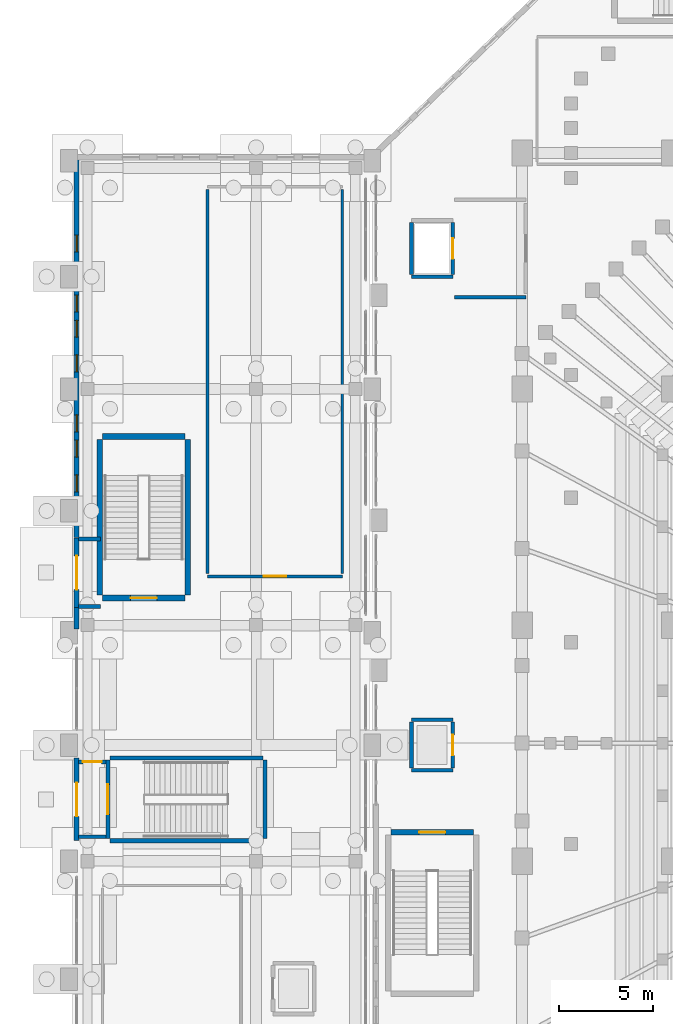
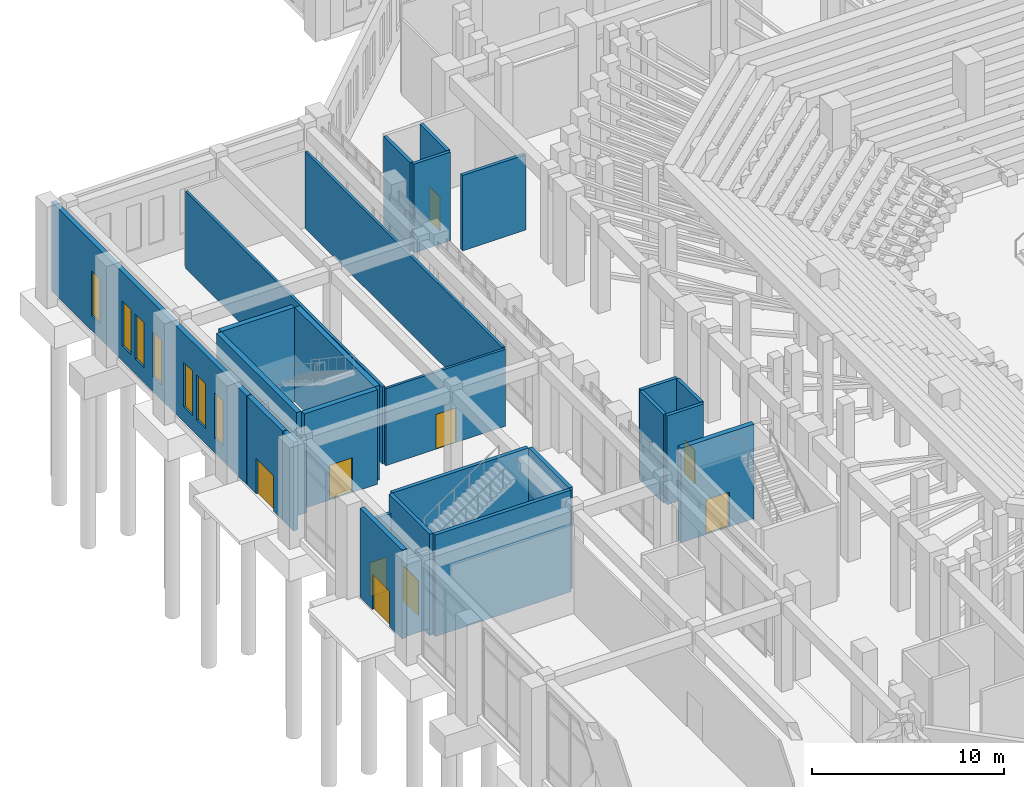
# One storey, part 110 of 143: 28 walls, 9 doors, 7 windows, 16 openings.
"""IFC4 building model written with IfcOpenShell, lengths in metres."""

from ifc_helpers import new_model, si_unit, derived_unit, direction, frame, frame_2d, origin, place, context, subcontext, project, spatial, rectangle, extrude, material, layer, layer_set, type_object, element, fill, save


model = new_model("IFC4")

# Units and contexts
model_context = context("Model", 3, precision=1e-05, world=origin(), true_north=direction((0.0, 1.0)))
body_context = subcontext(model_context, "Body", "Model", "MODEL_VIEW")
ifc_project = project(units=[si_unit("LENGTHUNIT", "METRE"), si_unit("AREAUNIT", "SQUARE_METRE"), si_unit("VOLUMEUNIT", "CUBIC_METRE"), si_unit("PLANEANGLEUNIT", "RADIAN"), si_unit("MASSUNIT", "GRAM", prefix="KILO"), derived_unit("THERMALTRANSMITTANCEUNIT", [(si_unit("MASSUNIT", "GRAM", prefix="KILO"), 1), (si_unit("TIMEUNIT", "SECOND"), -3), (si_unit("THERMODYNAMICTEMPERATUREUNIT", "KELVIN"), -1)])], contexts=[model_context])

# Site, building, storey
site_placement = place(None, origin())
site = spatial("IfcSite", under=ifc_project, at=site_placement, CompositionType="ELEMENT")
building_placement = place(site_placement, origin())
building = spatial("IfcBuilding", under=site, at=building_placement, Name="Valcora Ridge Arena", CompositionType="ELEMENT")
storey_placement = place(building_placement, origin())
storey = spatial("IfcBuildingStorey", under=building, at=storey_placement, Name="L00", CompositionType="ELEMENT", Elevation=0.0)

# Wall
ifc_material_1 = material(Name="Bush-hammered Andean travertine on concrete backup C40/50", Category="masonry")
ifc_layer_1 = layer(ifc_material_1, 0.280029296875, Name="Bush-hammered Andean travertine on concrete backup C40/50")
ifc_layer_set_1 = layer_set([ifc_layer_1], Name="Bush-hammered Andean travertine on concrete backup C40/50")
wall_type_1 = type_object("IfcWallType", Name="TY-WALL-EW-TRV-28-56", PredefinedType="STANDARD", material=ifc_layer_set_1)
wall_1_placement = place(storey_placement, frame((0.219970703125, 70.199951171875, 0.0), z_axis=(0.0, 0.0, 1.0), x_axis=(0.0, 1.0, 0.0)))
element("IfcWall", 1, at=wall_1_placement, inside=storey, type_object=wall_type_1, Name="EW-TRV-28-56 WAL-EW-0074", PredefinedType="STANDARD", context=body_context, shape_type="SweptSolid", body=[
    extrude(rectangle(XDim=1.130126953125, YDim=0.280029296875, at=frame_2d((0.56494140625, 0.0))), origin(), (0.0, 0.0, 1.0), 5.639892578125),
])

# Wall, openings, windows
wall_2_placement = place(storey_placement, frame((0.219970703125, 75.070068359375, 0.0), z_axis=(0.0, 0.0, 1.0), x_axis=(0.0, 1.0, 0.0)))
wall_2 = element("IfcWall", 2, at=wall_2_placement, inside=storey, type_object=wall_type_1, Name="EW-TRV-28-56 WAL-EW-0075", PredefinedType="STANDARD", context=body_context, shape_type="SweptSolid", body=[
    extrude(rectangle(XDim=20.309814453125, YDim=0.280029296875, at=frame_2d((10.15478515625, 0.0))), origin(), (0.0, 0.0, 1.0), 5.639892578125),
])
opening_1_placement = place(wall_2_placement, frame((2.449951171875, 0.0, 0.949951171875)))
opening_1 = element("IfcOpeningElement", 3, at=opening_1_placement, cuts=wall_2, Name="Opening W-GLAN-90X285", PredefinedType="OPENING", context=body_context, shape_type="SweptSolid", body=[
    extrude(rectangle(XDim=0.89990234375, YDim=2.85009765625, at=frame_2d((0.449951171875, 1.425048828125))), frame((0.0, 0.14990234375, 0.0), z_axis=(0.0, -1.0, 0.0), x_axis=(1.0, 0.0, 0.0)), (0.0, 0.0, 1.0), 0.300048828125),
])
opening_2_placement = place(wall_2_placement, frame((4.300048828125, 0.0, 0.949951171875)))
opening_2 = element("IfcOpeningElement", 4, at=opening_2_placement, cuts=wall_2, Name="Opening W-GLAN-90X285", PredefinedType="OPENING", context=body_context, shape_type="SweptSolid", body=[
    extrude(rectangle(XDim=0.89990234375, YDim=2.85009765625, at=frame_2d((0.449951171875, 1.425048828125))), frame((0.0, 0.14990234375, 0.0), z_axis=(0.0, -1.0, 0.0), x_axis=(1.0, 0.0, 0.0)), (0.0, 0.0, 1.0), 0.300048828125),
])
opening_3_placement = place(wall_2_placement, frame((5.64990234375, 0.0, 0.949951171875)))
opening_3 = element("IfcOpeningElement", 5, at=opening_3_placement, cuts=wall_2, Name="Opening W-GLAN-90X285", PredefinedType="OPENING", context=body_context, shape_type="SweptSolid", body=[
    extrude(rectangle(XDim=0.89990234375, YDim=2.85009765625, at=frame_2d((0.449951171875, 1.425048828125))), frame((0.0, 0.14990234375, 0.0), z_axis=(0.0, -1.0, 0.0), x_axis=(1.0, 0.0, 0.0)), (0.0, 0.0, 1.0), 0.300048828125),
])
opening_4_placement = place(wall_2_placement, frame((8.85009765625, 0.0, 0.949951171875)))
opening_4 = element("IfcOpeningElement", 6, at=opening_4_placement, cuts=wall_2, Name="Opening W-GLAN-90X285", PredefinedType="OPENING", context=body_context, shape_type="SweptSolid", body=[
    extrude(rectangle(XDim=0.89990234375, YDim=2.85009765625, at=frame_2d((0.449951171875, 1.425048828125))), frame((0.0, 0.14990234375, 0.0), z_axis=(0.0, -1.0, 0.0), x_axis=(1.0, 0.0, 0.0)), (0.0, 0.0, 1.0), 0.300048828125),
])
opening_5_placement = place(wall_2_placement, frame((10.699951171875, 0.0, 0.949951171875)))
opening_5 = element("IfcOpeningElement", 7, at=opening_5_placement, cuts=wall_2, Name="Opening W-GLAN-90X285", PredefinedType="OPENING", context=body_context, shape_type="SweptSolid", body=[
    extrude(rectangle(XDim=0.89990234375, YDim=2.85009765625, at=frame_2d((0.449951171875, 1.425048828125))), frame((0.0, 0.14990234375, 0.0), z_axis=(0.0, -1.0, 0.0), x_axis=(1.0, 0.0, 0.0)), (0.0, 0.0, 1.0), 0.300048828125),
])
opening_6_placement = place(wall_2_placement, frame((12.050048828125, 0.0, 0.949951171875)))
opening_6 = element("IfcOpeningElement", 8, at=opening_6_placement, cuts=wall_2, Name="Opening W-GLAN-90X285", PredefinedType="OPENING", context=body_context, shape_type="SweptSolid", body=[
    extrude(rectangle(XDim=0.89990234375, YDim=2.85009765625, at=frame_2d((0.449951171875, 1.425048828125))), frame((0.0, 0.14990234375, 0.0), z_axis=(0.0, -1.0, 0.0), x_axis=(1.0, 0.0, 0.0)), (0.0, 0.0, 1.0), 0.300048828125),
])
opening_7_placement = place(wall_2_placement, frame((15.25, 0.0, 0.949951171875)))
opening_7 = element("IfcOpeningElement", 9, at=opening_7_placement, cuts=wall_2, Name="Opening W-GLAN-90X285", PredefinedType="OPENING", context=body_context, shape_type="SweptSolid", body=[
    extrude(rectangle(XDim=0.89990234375, YDim=2.85009765625, at=frame_2d((0.449951171875, 1.425048828125))), frame((0.0, 0.14990234375, 0.0), z_axis=(0.0, -1.0, 0.0), x_axis=(1.0, 0.0, 0.0)), (0.0, 0.0, 1.0), 0.300048828125),
])
ifc_material_2 = material(Name="Low-iron solar-control double glazing SHGC 0.28", Category="glass")
window_type = type_object("IfcWindowType", Name="TY-WINDOW-W-GLAN-90X285", PartitioningType="DOUBLE_PANEL_VERTICAL", PredefinedType="WINDOW", material=ifc_material_2)
window_1_placement = place(opening_1_placement, origin())
window_1 = element("IfcWindow", 10, at=window_1_placement, inside=storey, type_object=window_type, Name="W-GLAN-90X285 WIN-EX-0194", OverallHeight=2.85009765625, OverallWidth=0.89990234375, PartitioningType="DOUBLE_PANEL_VERTICAL", PredefinedType="WINDOW", context=body_context, shape_type="SweptSolid", body=[
    extrude(rectangle(XDim=0.89990234375, YDim=2.85009765625, at=frame_2d((0.449951171875, 1.425048828125))), frame((0.0, 0.030029296875, 0.0), z_axis=(0.0, -1.0, 0.0), x_axis=(1.0, 0.0, 0.0)), (0.0, 0.0, 1.0), 0.06005859375),
])
fill(opening_1, window_1)
window_2_placement = place(opening_2_placement, origin())
window_2 = element("IfcWindow", 11, at=window_2_placement, inside=storey, type_object=window_type, Name="W-GLAN-90X285 WIN-EX-0195", OverallHeight=2.85009765625, OverallWidth=0.89990234375, PartitioningType="DOUBLE_PANEL_VERTICAL", PredefinedType="WINDOW", context=body_context, shape_type="SweptSolid", body=[
    extrude(rectangle(XDim=0.89990234375, YDim=2.85009765625, at=frame_2d((0.449951171875, 1.425048828125))), frame((0.0, 0.030029296875, 0.0), z_axis=(0.0, -1.0, 0.0), x_axis=(1.0, 0.0, 0.0)), (0.0, 0.0, 1.0), 0.06005859375),
])
fill(opening_2, window_2)
window_3_placement = place(opening_3_placement, origin())
window_3 = element("IfcWindow", 12, at=window_3_placement, inside=storey, type_object=window_type, Name="W-GLAN-90X285 WIN-EX-0196", OverallHeight=2.85009765625, OverallWidth=0.89990234375, PartitioningType="DOUBLE_PANEL_VERTICAL", PredefinedType="WINDOW", context=body_context, shape_type="SweptSolid", body=[
    extrude(rectangle(XDim=0.89990234375, YDim=2.85009765625, at=frame_2d((0.449951171875, 1.425048828125))), frame((0.0, 0.030029296875, 0.0), z_axis=(0.0, -1.0, 0.0), x_axis=(1.0, 0.0, 0.0)), (0.0, 0.0, 1.0), 0.06005859375),
])
fill(opening_3, window_3)
window_4_placement = place(opening_4_placement, origin())
window_4 = element("IfcWindow", 13, at=window_4_placement, inside=storey, type_object=window_type, Name="W-GLAN-90X285 WIN-EX-0197", OverallHeight=2.85009765625, OverallWidth=0.89990234375, PartitioningType="DOUBLE_PANEL_VERTICAL", PredefinedType="WINDOW", context=body_context, shape_type="SweptSolid", body=[
    extrude(rectangle(XDim=0.89990234375, YDim=2.85009765625, at=frame_2d((0.449951171875, 1.425048828125))), frame((0.0, 0.030029296875, 0.0), z_axis=(0.0, -1.0, 0.0), x_axis=(1.0, 0.0, 0.0)), (0.0, 0.0, 1.0), 0.06005859375),
])
fill(opening_4, window_4)
window_5_placement = place(opening_5_placement, origin())
window_5 = element("IfcWindow", 14, at=window_5_placement, inside=storey, type_object=window_type, Name="W-GLAN-90X285 WIN-EX-0198", OverallHeight=2.85009765625, OverallWidth=0.89990234375, PartitioningType="DOUBLE_PANEL_VERTICAL", PredefinedType="WINDOW", context=body_context, shape_type="SweptSolid", body=[
    extrude(rectangle(XDim=0.89990234375, YDim=2.85009765625, at=frame_2d((0.449951171875, 1.425048828125))), frame((0.0, 0.030029296875, 0.0), z_axis=(0.0, -1.0, 0.0), x_axis=(1.0, 0.0, 0.0)), (0.0, 0.0, 1.0), 0.06005859375),
])
fill(opening_5, window_5)
window_6_placement = place(opening_6_placement, origin())
window_6 = element("IfcWindow", 15, at=window_6_placement, inside=storey, type_object=window_type, Name="W-GLAN-90X285 WIN-EX-0199", OverallHeight=2.85009765625, OverallWidth=0.89990234375, PartitioningType="DOUBLE_PANEL_VERTICAL", PredefinedType="WINDOW", context=body_context, shape_type="SweptSolid", body=[
    extrude(rectangle(XDim=0.89990234375, YDim=2.85009765625, at=frame_2d((0.449951171875, 1.425048828125))), frame((0.0, 0.030029296875, 0.0), z_axis=(0.0, -1.0, 0.0), x_axis=(1.0, 0.0, 0.0)), (0.0, 0.0, 1.0), 0.06005859375),
])
fill(opening_6, window_6)
window_7_placement = place(opening_7_placement, origin())
window_7 = element("IfcWindow", 16, at=window_7_placement, inside=storey, type_object=window_type, Name="W-GLAN-90X285 WIN-EX-0200", OverallHeight=2.85009765625, OverallWidth=0.89990234375, PartitioningType="DOUBLE_PANEL_VERTICAL", PredefinedType="WINDOW", context=body_context, shape_type="SweptSolid", body=[
    extrude(rectangle(XDim=0.89990234375, YDim=2.85009765625, at=frame_2d((0.449951171875, 1.425048828125))), frame((0.0, 0.030029296875, 0.0), z_axis=(0.0, -1.0, 0.0), x_axis=(1.0, 0.0, 0.0)), (0.0, 0.0, 1.0), 0.06005859375),
])
fill(opening_7, window_7)

# Wall, opening, door
ifc_layer_2 = layer(ifc_material_1, 0.280029296875, Name="Bush-hammered Andean travertine on concrete backup C40/50")
ifc_layer_set_2 = layer_set([ifc_layer_2], Name="Bush-hammered Andean travertine on concrete backup C40/50")
wall_type_2 = type_object("IfcWallType", Name="TY-WALL-EW-TRV-XP-56", PredefinedType="STANDARD", material=ifc_layer_set_2)
wall_3_placement = place(storey_placement, frame((0.219970703125, 58.89990234375, 0.0), z_axis=(0.0, 0.0, 1.0), x_axis=(0.0, 1.0, 0.0)))
wall_3 = element("IfcWall", 17, at=wall_3_placement, inside=storey, type_object=wall_type_2, Name="EW-TRV-XP-56 WAL-XP-0013", PredefinedType="STANDARD", context=body_context, shape_type="SweptSolid", body=[
    extrude(rectangle(XDim=4.400146484375, YDim=0.280029296875, at=frame_2d((2.2001953125, 0.0))), origin(), (0.0, 0.0, 1.0), 5.639892578125),
])
opening_8_placement = place(wall_3_placement, frame((1.300048828125, 0.0, 0.0)))
opening_8 = element("IfcOpeningElement", 18, at=opening_8_placement, cuts=wall_3, Name="Opening D-EXP-1800", PredefinedType="OPENING", context=body_context, shape_type="SweptSolid", body=[
    extrude(rectangle(XDim=1.800048828125, YDim=2.25, at=frame_2d((0.89990234375, 1.125))), frame((0.0, 0.14990234375, 0.0), z_axis=(0.0, -1.0, 0.0), x_axis=(1.0, 0.0, 0.0)), (0.0, 0.0, 1.0), 0.300048828125),
])
ifc_material_3 = material(Name="Insulated fire-rated steel door leaf", Category="steel")
door_type_1 = type_object("IfcDoorType", Name="TY-DOOR-D-EXP-1800", OperationType="NOTDEFINED", PredefinedType="DOOR", material=ifc_material_3)
door_1_placement = place(opening_8_placement, origin())
door_1 = element("IfcDoor", 19, at=door_1_placement, inside=storey, type_object=door_type_1, Name="Final Exit Discharge Door ES08", OperationType="DOUBLE_DOOR_SINGLE_SWING", OverallHeight=2.25, OverallWidth=1.800048828125, PredefinedType="DOOR", context=body_context, shape_type="SweptSolid", body=[
    extrude(rectangle(XDim=1.800048828125, YDim=2.25, at=frame_2d((0.89990234375, 1.125))), frame((0.0, 0.02490234375, 0.0), z_axis=(0.0, -1.0, 0.0), x_axis=(1.0, 0.0, 0.0)), (0.0, 0.0, 1.0), 0.050048828125),
])
fill(opening_8, door_1)

wall_4_placement = place(storey_placement, frame((0.219970703125, 71.35009765625, 0.0), z_axis=(0.0, 0.0, 1.0), x_axis=(0.0, 1.0, 0.0)))
wall_4 = element("IfcWall", 20, at=wall_4_placement, inside=storey, type_object=wall_type_2, Name="EW-TRV-XP-56 WAL-XP-0016", PredefinedType="STANDARD", context=body_context, shape_type="SweptSolid", body=[
    extrude(rectangle(XDim=3.699951171875, YDim=0.280029296875, at=frame_2d((1.85009765625, 0.0))), origin(), (0.0, 0.0, 1.0), 5.639892578125),
])
opening_9_placement = place(wall_4_placement, frame((0.949951171875, 0.0, 0.0)))
opening_9 = element("IfcOpeningElement", 21, at=opening_9_placement, cuts=wall_4, Name="Opening D-EXP-1800", PredefinedType="OPENING", context=body_context, shape_type="SweptSolid", body=[
    extrude(rectangle(XDim=1.800048828125, YDim=2.25, at=frame_2d((0.89990234375, 1.125))), frame((0.0, 0.14990234375, 0.0), z_axis=(0.0, -1.0, 0.0), x_axis=(1.0, 0.0, 0.0)), (0.0, 0.0, 1.0), 0.300048828125),
])
door_2_placement = place(opening_9_placement, origin())
door_2 = element("IfcDoor", 22, at=door_2_placement, inside=storey, type_object=door_type_1, Name="Final Exit Discharge Door ST08", OperationType="DOUBLE_DOOR_SINGLE_SWING", OverallHeight=2.25, OverallWidth=1.800048828125, PredefinedType="DOOR", context=body_context, shape_type="SweptSolid", body=[
    extrude(rectangle(XDim=1.800048828125, YDim=2.25, at=frame_2d((0.89990234375, 1.125))), frame((0.0, 0.02490234375, 0.0), z_axis=(0.0, -1.0, 0.0), x_axis=(1.0, 0.0, 0.0)), (0.0, 0.0, 1.0), 0.050048828125),
])
fill(opening_9, door_2)

ifc_material_4 = material(Name="Fire-rated masonry-core compartment wall C35/45 150 mm", Category="masonry")
ifc_layer_3 = layer(ifc_material_4, 0.14990234375, Name="Fire-rated masonry-core compartment wall C35/45 150 mm")
ifc_layer_set_3 = layer_set([ifc_layer_3], Name="Fire-rated masonry-core compartment wall C35/45 150 mm")
wall_type_3 = type_object("IfcWallType", Name="TY-WALL-IW-COMP-150", PredefinedType="STANDARD", material=ifc_layer_set_3)
wall_5_placement = place(storey_placement, frame((7.199951171875, 73.0, 0.0), z_axis=(0.0, 0.0, 1.0), x_axis=(1.0, 0.0, 0.0)))
wall_5 = element("IfcWall", 23, at=wall_5_placement, inside=storey, type_object=wall_type_3, Name="IW-COMP-150 WAL-IN-0269", PredefinedType="STANDARD", context=body_context, shape_type="SweptSolid", body=[
    extrude(rectangle(XDim=7.199951171875, YDim=0.14990234375, at=frame_2d((3.60009765625, 0.0))), origin(), (0.0, 0.0, 1.0), 4.889892578125),
])
opening_10_placement = place(wall_5_placement, frame((3.0, 0.0, 0.0)))
opening_10 = element("IfcOpeningElement", 24, at=opening_10_placement, cuts=wall_5, Name="Opening FD-KIT-1200", PredefinedType="OPENING", context=body_context, shape_type="SweptSolid", body=[
    extrude(rectangle(XDim=1.199951171875, YDim=2.199951171875, at=frame_2d((0.60009765625, 1.10009765625))), frame((0.0, 0.0849609375, 0.0), z_axis=(0.0, -1.0, 0.0), x_axis=(1.0, 0.0, 0.0)), (0.0, 0.0, 1.0), 0.169921875),
])
door_type_2 = type_object("IfcDoorType", Name="TY-DOOR-FD-KIT-1200", OperationType="NOTDEFINED", PredefinedType="DOOR", material=ifc_material_3)
door_3_placement = place(opening_10_placement, origin())
door_3 = element("IfcDoor", 25, at=door_3_placement, inside=storey, type_object=door_type_2, Name="FD-KIT-1200 DOR-IN-0072", OperationType="SINGLE_SWING_LEFT", OverallHeight=2.199951171875, OverallWidth=1.199951171875, PredefinedType="DOOR", context=body_context, shape_type="SweptSolid", body=[
    extrude(rectangle(XDim=1.199951171875, YDim=2.199951171875, at=frame_2d((0.60009765625, 1.10009765625))), frame((0.0, 0.02490234375, 0.0), z_axis=(0.0, -1.0, 0.0), x_axis=(1.0, 0.0, 0.0)), (0.0, 0.0, 1.0), 0.050048828125),
])
fill(opening_10, door_3)

# Walls
for number, where, z_axis, x_axis, name in (
    (26, (7.199951171875, 73.14990234375, 0.0), (0.0, 0.0, 1.0), (0.0, 1.0, 0.0), "IW-COMP-150 WAL-IN-0271"),
    (27, (14.39990234375, 73.14990234375, 0.0), (0.0, 0.0, 1.0), (0.0, 1.0, 0.0), "IW-COMP-150 WAL-IN-0272"),
):
    element("IfcWall", number, at=place(storey_placement, frame(where, z_axis=z_axis, x_axis=x_axis)), inside=storey, type_object=wall_type_3, Name=name, PredefinedType="STANDARD", context=body_context, shape_type="SweptSolid", body=[
        extrude(rectangle(XDim=20.5, YDim=0.14990234375, at=frame_2d((10.25, 0.0))), origin(), (0.0, 0.0, 1.0), 4.889892578125),
    ])
ifc_material_5 = material(Name="Fire-resisting reinforced concrete enclosure C40/50 200 mm", Category="concrete")
ifc_layer_4 = layer(ifc_material_5, 0.199951171875, Name="Fire-resisting reinforced concrete enclosure C40/50 200 mm")
ifc_layer_set_4 = layer_set([ifc_layer_4], Name="Fire-resisting reinforced concrete enclosure C40/50 200 mm")
wall_type_4 = type_object("IfcWallType", Name="TY-WALL-IW-FIRE-200", PredefinedType="STANDARD", material=ifc_layer_set_4)
wall_6_placement = place(storey_placement, frame((20.39990234375, 87.89990234375, 0.0), z_axis=(0.0, 0.0, 1.0), x_axis=(1.0, 0.0, 0.0)))
element("IfcWall", 28, at=wall_6_placement, inside=storey, type_object=wall_type_4, Name="IW-FIRE-200 WAL-IN-0025", PredefinedType="STANDARD", context=body_context, shape_type="SweptSolid", body=[
    extrude(rectangle(XDim=3.800048828125, YDim=0.199951171875, at=frame_2d((1.89990234375, 0.0))), origin(), (0.0, 0.0, 1.0), 4.7900390625),
])
wall_7_placement = place(storey_placement, frame((0.320068359375, 59.10009765625, 0.0), z_axis=(0.0, 0.0, 1.0), x_axis=(1.0, 0.0, 0.0)))
element("IfcWall", 29, at=wall_7_placement, inside=storey, type_object=wall_type_4, Name="IW-FIRE-200 WAL-XP-0014", PredefinedType="STANDARD", context=body_context, shape_type="SweptSolid", body=[
    extrude(rectangle(XDim=1.469970703125, YDim=0.199951171875, at=frame_2d((0.73486328125, 0.0))), origin(), (0.0, 0.0, 1.0), 4.889892578125),
])

# Wall, opening, door
wall_8_placement = place(storey_placement, frame((0.320068359375, 63.10009765625, 0.0), z_axis=(0.0, 0.0, 1.0), x_axis=(1.0, 0.0, 0.0)))
wall_8 = element("IfcWall", 30, at=wall_8_placement, inside=storey, type_object=wall_type_4, Name="IW-FIRE-200 WAL-XP-0015", PredefinedType="STANDARD", context=body_context, shape_type="SweptSolid", body=[
    extrude(rectangle(XDim=1.469970703125, YDim=0.199951171875, at=frame_2d((0.73486328125, 0.0))), origin(), (0.0, 0.0, 1.0), 4.889892578125),
])
opening_11_placement = place(wall_8_placement, frame((0.235107421875, 0.0, 0.0)))
opening_11 = element("IfcOpeningElement", 31, at=opening_11_placement, cuts=wall_8, Name="Opening FD-STE-1000", PredefinedType="OPENING", context=body_context, shape_type="SweptSolid", body=[
    extrude(rectangle(XDim=1.0, YDim=2.14990234375, at=frame_2d((0.5, 1.074951171875))), frame((0.0, 0.10986328125, 0.0), z_axis=(0.0, -1.0, 0.0), x_axis=(1.0, 0.0, 0.0)), (0.0, 0.0, 1.0), 0.219970703125),
])
door_type_3 = type_object("IfcDoorType", Name="TY-DOOR-FD-STE-1000", OperationType="NOTDEFINED", PredefinedType="DOOR", material=ifc_material_3)
door_4_placement = place(opening_11_placement, origin())
door_4 = element("IfcDoor", 32, at=door_4_placement, inside=storey, type_object=door_type_3, Name="FD-STE-1000 DOR-XP-0010", OperationType="SINGLE_SWING_LEFT", OverallHeight=2.14990234375, OverallWidth=1.0, PredefinedType="DOOR", context=body_context, shape_type="SweptSolid", body=[
    extrude(rectangle(XDim=1.0, YDim=2.14990234375, at=frame_2d((0.5, 1.074951171875))), frame((0.0, 0.02490234375, 0.0), z_axis=(0.0, -1.0, 0.0), x_axis=(1.0, 0.0, 0.0)), (0.0, 0.0, 1.0), 0.050048828125),
])
fill(opening_11, door_4)

# Walls
for number, where, z_axis, x_axis, name in (
    (33, (0.320068359375, 71.39990234375, 0.0), (0.0, 0.0, 1.0), (1.0, 0.0, 0.0), "IW-FIRE-200 WAL-XP-0017"),
    (34, (0.320068359375, 75.0, 0.0), (0.0, 0.0, 1.0), (1.0, 0.0, 0.0), "IW-FIRE-200 WAL-XP-0018"),
):
    element("IfcWall", number, at=place(storey_placement, frame(where, z_axis=z_axis, x_axis=x_axis)), inside=storey, type_object=wall_type_4, Name=name, PredefinedType="STANDARD", context=body_context, shape_type="SweptSolid", body=[
        extrude(rectangle(XDim=1.179931640625, YDim=0.199951171875, at=frame_2d((0.58984375, 0.0))), origin(), (0.0, 0.0, 1.0), 4.889892578125),
    ])
ifc_material_6 = material(Name="Concrete C40/50", Category="concrete")
ifc_layer_5 = layer(ifc_material_6, 0.199951171875, Name="Concrete C40/50")
ifc_layer_set_5 = layer_set([ifc_layer_5], Name="Concrete C40/50")
wall_type_5 = type_object("IfcWallType", Name="TY-WALL-IW-SHF-200", PredefinedType="STANDARD", material=ifc_layer_set_5)
wall_9_placement = place(storey_placement, frame((18.10009765625, 89.0, 0.0), z_axis=(0.0, 0.0, 1.0), x_axis=(1.0, 0.0, 0.0)))
element("IfcWall", 35, at=wall_9_placement, inside=storey, type_object=wall_type_5, Name="IW-SHF-200 WAL-SH-0033", PredefinedType="STANDARD", context=body_context, shape_type="SweptSolid", body=[
    extrude(rectangle(XDim=2.199951171875, YDim=0.199951171875, at=frame_2d((1.10009765625, 0.0))), origin(), (0.0, 0.0, 1.0), 5.639892578125),
])
wall_10_placement = place(storey_placement, frame((18.10009765625, 89.1201171875, 0.0), z_axis=(0.0, 0.0, 1.0), x_axis=(0.0, 1.0, 0.0)))
element("IfcWall", 36, at=wall_10_placement, inside=storey, type_object=wall_type_5, Name="IW-SHF-200 WAL-SH-0035", PredefinedType="STANDARD", context=body_context, shape_type="SweptSolid", body=[
    extrude(rectangle(XDim=2.759765625, YDim=0.199951171875, at=frame_2d((1.3798828125, 0.0))), origin(), (0.0, 0.0, 1.0), 5.639892578125),
])

# Wall, opening, door
wall_11_placement = place(storey_placement, frame((20.300048828125, 89.1201171875, 0.0), z_axis=(0.0, 0.0, 1.0), x_axis=(0.0, 1.0, 0.0)))
wall_11 = element("IfcWall", 37, at=wall_11_placement, inside=storey, type_object=wall_type_5, Name="IW-SHF-200 WAL-SH-0036", PredefinedType="STANDARD", context=body_context, shape_type="SweptSolid", body=[
    extrude(rectangle(XDim=2.759765625, YDim=0.199951171875, at=frame_2d((1.3798828125, 0.0))), origin(), (0.0, 0.0, 1.0), 5.639892578125),
])
opening_12_placement = place(wall_11_placement, frame((0.830078125, 0.0, 0.0)))
opening_12 = element("IfcOpeningElement", 38, at=opening_12_placement, cuts=wall_11, Name="Opening LD-FF", PredefinedType="OPENING", context=body_context, shape_type="SweptSolid", body=[
    extrude(rectangle(XDim=1.10009765625, YDim=2.14990234375, at=frame_2d((0.550048828125, 1.074951171875))), frame((0.0, 0.10986328125, 0.0), z_axis=(0.0, -1.0, 0.0), x_axis=(1.0, 0.0, 0.0)), (0.0, 0.0, 1.0), 0.219970703125),
])
ifc_material_7 = material(Name="Insulated fire-rated hollow metal steel", Category="steel")
door_type_4 = type_object("IfcDoorType", Name="TY-DOOR-LD-FF", OperationType="NOTDEFINED", PredefinedType="DOOR", material=ifc_material_7)
door_5_placement = place(opening_12_placement, origin())
door_5 = element("IfcDoor", 39, at=door_5_placement, inside=storey, type_object=door_type_4, Name="FFL2 Landing Door L00", OperationType="SLIDING_TO_LEFT", OverallHeight=2.14990234375, OverallWidth=1.10009765625, PredefinedType="DOOR", context=body_context, shape_type="SweptSolid", body=[
    extrude(rectangle(XDim=1.10009765625, YDim=2.14990234375, at=frame_2d((0.550048828125, 1.074951171875))), frame((0.0, 0.02490234375, 0.0), z_axis=(0.0, -1.0, 0.0), x_axis=(1.0, 0.0, 0.0)), (0.0, 0.0, 1.0), 0.050048828125),
])
fill(opening_12, door_5)

# Walls
for number, where, z_axis, x_axis, name in (
    (40, (18.10009765625, 62.64990234375, 0.0), (0.0, 0.0, 1.0), (1.0, 0.0, 0.0), "IW-SHF-200 WAL-SH-0209"),
    (41, (18.10009765625, 65.35009765625, 0.0), (0.0, 0.0, 1.0), (1.0, 0.0, 0.0), "IW-SHF-200 WAL-SH-0210"),
):
    element("IfcWall", number, at=place(storey_placement, frame(where, z_axis=z_axis, x_axis=x_axis)), inside=storey, type_object=wall_type_5, Name=name, PredefinedType="STANDARD", context=body_context, shape_type="SweptSolid", body=[
        extrude(rectangle(XDim=2.199951171875, YDim=0.199951171875, at=frame_2d((1.10009765625, 0.0))), origin(), (0.0, 0.0, 1.0), 5.639892578125),
    ])
wall_12_placement = place(storey_placement, frame((18.10009765625, 62.77001953125, 0.0), z_axis=(0.0, 0.0, 1.0), x_axis=(0.0, 1.0, 0.0)))
element("IfcWall", 42, at=wall_12_placement, inside=storey, type_object=wall_type_5, Name="IW-SHF-200 WAL-SH-0211", PredefinedType="STANDARD", context=body_context, shape_type="SweptSolid", body=[
    extrude(rectangle(XDim=2.4599609375, YDim=0.199951171875, at=frame_2d((1.22998046875, 0.0))), origin(), (0.0, 0.0, 1.0), 5.639892578125),
])

# Wall, opening, door
wall_13_placement = place(storey_placement, frame((20.300048828125, 62.77001953125, 0.0), z_axis=(0.0, 0.0, 1.0), x_axis=(0.0, 1.0, 0.0)))
wall_13 = element("IfcWall", 43, at=wall_13_placement, inside=storey, type_object=wall_type_5, Name="IW-SHF-200 WAL-SH-0212", PredefinedType="STANDARD", context=body_context, shape_type="SweptSolid", body=[
    extrude(rectangle(XDim=2.4599609375, YDim=0.199951171875, at=frame_2d((1.22998046875, 0.0))), origin(), (0.0, 0.0, 1.0), 5.639892578125),
])
opening_13_placement = place(wall_13_placement, frame((0.679931640625, 0.0, 0.0)))
opening_13 = element("IfcOpeningElement", 44, at=opening_13_placement, cuts=wall_13, Name="Opening LD-PAX", PredefinedType="OPENING", context=body_context, shape_type="SweptSolid", body=[
    extrude(rectangle(XDim=1.10009765625, YDim=2.14990234375, at=frame_2d((0.550048828125, 1.074951171875))), frame((0.0, 0.10986328125, 0.0), z_axis=(0.0, -1.0, 0.0), x_axis=(1.0, 0.0, 0.0)), (0.0, 0.0, 1.0), 0.219970703125),
])
door_type_5 = type_object("IfcDoorType", Name="TY-DOOR-LD-PAX", OperationType="NOTDEFINED", PredefinedType="DOOR", material=ifc_material_7)
door_6_placement = place(opening_13_placement, origin())
door_6 = element("IfcDoor", 45, at=door_6_placement, inside=storey, type_object=door_type_5, Name="CL3 Landing Door L00", OperationType="SLIDING_TO_LEFT", OverallHeight=2.14990234375, OverallWidth=1.10009765625, PredefinedType="DOOR", context=body_context, shape_type="SweptSolid", body=[
    extrude(rectangle(XDim=1.10009765625, YDim=2.14990234375, at=frame_2d((0.550048828125, 1.074951171875))), frame((0.0, 0.02490234375, 0.0), z_axis=(0.0, -1.0, 0.0), x_axis=(1.0, 0.0, 0.0)), (0.0, 0.0, 1.0), 0.050048828125),
])
fill(opening_13, door_6)

# Walls
ifc_material_8 = material(Name="Concrete C45/55", Category="concrete")
ifc_layer_6 = layer(ifc_material_8, 0.300048828125, Name="Concrete C45/55")
ifc_layer_set_6 = layer_set([ifc_layer_6], Name="Concrete C45/55")
wall_type_6 = type_object("IfcWallType", Name="TY-WALL-SW-C300-L", PredefinedType="SHEAR", material=ifc_layer_set_6)
for number, where, z_axis, x_axis, name in (
    (46, (1.449951171875, 72.0, 0.0), (0.0, 0.0, 1.0), (0.0, 1.0, 0.0), "SW-C300-L WAL-CR-0167"),
    (47, (6.14990234375, 72.0, 0.0), (0.0, 0.0, 1.0), (0.0, 1.0, 0.0), "SW-C300-L WAL-CR-0168"),
):
    element("IfcWall", number, at=place(storey_placement, frame(where, z_axis=z_axis, x_axis=x_axis)), inside=storey, type_object=wall_type_6, Name=name, PredefinedType="SHEAR", context=body_context, shape_type="SweptSolid", body=[
        extrude(rectangle(XDim=8.320068359375, YDim=0.300048828125, at=frame_2d((4.16015625, 0.0))), origin(), (0.0, 0.0, 1.0), 6.0),
    ])

# Wall, opening, door
ifc_layer_7 = layer(ifc_material_8, 0.300048828125, Name="Concrete C45/55")
ifc_layer_set_7 = layer_set([ifc_layer_7], Name="Concrete C45/55")
wall_type_7 = type_object("IfcWallType", Name="TY-WALL-SW-C300-S", PredefinedType="SHEAR", material=ifc_layer_set_7)
wall_14_placement = place(storey_placement, frame((17.0, 59.35009765625, 0.0), z_axis=(0.0, 0.0, 1.0), x_axis=(1.0, 0.0, 0.0)))
wall_14 = element("IfcWall", 48, at=wall_14_placement, inside=storey, type_object=wall_type_7, Name="SW-C300-S WAL-CR-0110", PredefinedType="SHEAR", context=body_context, shape_type="SweptSolid", body=[
    extrude(rectangle(XDim=4.39990234375, YDim=0.300048828125, at=frame_2d((2.199951171875, 0.0))), origin(), (0.0, 0.0, 1.0), 6.0),
])
opening_14_placement = place(wall_14_placement, frame((1.5, 0.0, 0.0)))
opening_14 = element("IfcOpeningElement", 49, at=opening_14_placement, cuts=wall_14, Name="Opening FD-01", PredefinedType="OPENING", context=body_context, shape_type="SweptSolid", body=[
    extrude(rectangle(XDim=1.39990234375, YDim=2.199951171875, at=frame_2d((0.699951171875, 1.10009765625))), frame((0.0, 0.159912109375, 0.0), z_axis=(0.0, -1.0, 0.0), x_axis=(1.0, 0.0, 0.0)), (0.0, 0.0, 1.0), 0.320068359375),
])
door_type_6 = type_object("IfcDoorType", Name="TY-DOOR-FD-01", OperationType="NOTDEFINED", PredefinedType="DOOR", material=ifc_material_3)
door_7_placement = place(opening_14_placement, origin())
door_7 = element("IfcDoor", 50, at=door_7_placement, inside=storey, type_object=door_type_6, Name="FD-01 DOR-ST-0028", OperationType="DOUBLE_DOOR_SINGLE_SWING", OverallHeight=2.199951171875, OverallWidth=1.39990234375, PredefinedType="DOOR", context=body_context, shape_type="SweptSolid", body=[
    extrude(rectangle(XDim=1.39990234375, YDim=2.199951171875, at=frame_2d((0.699951171875, 1.10009765625))), frame((0.0, 0.02490234375, 0.0), z_axis=(0.0, -1.0, 0.0), x_axis=(1.0, 0.0, 0.0)), (0.0, 0.0, 1.0), 0.050048828125),
])
fill(opening_14, door_7)

wall_15_placement = place(storey_placement, frame((1.60009765625, 71.85009765625, 0.0), z_axis=(0.0, 0.0, 1.0), x_axis=(1.0, 0.0, 0.0)))
wall_15 = element("IfcWall", 51, at=wall_15_placement, inside=storey, type_object=wall_type_7, Name="SW-C300-S WAL-CR-0165", PredefinedType="SHEAR", context=body_context, shape_type="SweptSolid", body=[
    extrude(rectangle(XDim=4.39990234375, YDim=0.300048828125, at=frame_2d((2.199951171875, 0.0))), origin(), (0.0, 0.0, 1.0), 6.0),
])
opening_15_placement = place(wall_15_placement, frame((1.5, 0.0, 0.0)))
opening_15 = element("IfcOpeningElement", 52, at=opening_15_placement, cuts=wall_15, Name="Opening FD-01", PredefinedType="OPENING", context=body_context, shape_type="SweptSolid", body=[
    extrude(rectangle(XDim=1.39990234375, YDim=2.199951171875, at=frame_2d((0.699951171875, 1.10009765625))), frame((0.0, 0.159912109375, 0.0), z_axis=(0.0, -1.0, 0.0), x_axis=(1.0, 0.0, 0.0)), (0.0, 0.0, 1.0), 0.320068359375),
])
door_8_placement = place(opening_15_placement, origin())
door_8 = element("IfcDoor", 53, at=door_8_placement, inside=storey, type_object=door_type_6, Name="FD-01 DOR-ST-0042", OperationType="DOUBLE_DOOR_SINGLE_SWING", OverallHeight=2.199951171875, OverallWidth=1.39990234375, PredefinedType="DOOR", context=body_context, shape_type="SweptSolid", body=[
    extrude(rectangle(XDim=1.39990234375, YDim=2.199951171875, at=frame_2d((0.699951171875, 1.10009765625))), frame((0.0, 0.02490234375, 0.0), z_axis=(0.0, -1.0, 0.0), x_axis=(1.0, 0.0, 0.0)), (0.0, 0.0, 1.0), 0.050048828125),
])
fill(opening_15, door_8)

# Walls
wall_16_placement = place(storey_placement, frame((1.60009765625, 80.469970703125, 0.0), z_axis=(0.0, 0.0, 1.0), x_axis=(1.0, 0.0, 0.0)))
element("IfcWall", 54, at=wall_16_placement, inside=storey, type_object=wall_type_7, Name="SW-C300-S WAL-CR-0166", PredefinedType="SHEAR", context=body_context, shape_type="SweptSolid", body=[
    extrude(rectangle(XDim=4.39990234375, YDim=0.300048828125, at=frame_2d((2.199951171875, 0.0))), origin(), (0.0, 0.0, 1.0), 6.0),
])
ifc_layer_8 = layer(ifc_material_5, 0.219970703125, Name="Fire-resisting reinforced concrete enclosure C40/50 200 mm")
ifc_layer_set_8 = layer_set([ifc_layer_8], Name="Fire-resisting reinforced concrete enclosure C40/50 200 mm")
wall_type_8 = type_object("IfcWallType", Name="TY-WALL-SW-ES-220", PredefinedType="SHEAR", material=ifc_layer_set_8)
for number, where, z_axis, x_axis, name in (
    (55, (2.0, 58.889892578125, -0.449951171875), (0.0, 0.0, 1.0), (1.0, 0.0, 0.0), "SW-ES-220 WAL-ES-0149"),
    (56, (2.0, 63.31005859375, -0.449951171875), (0.0, 0.0, 1.0), (1.0, 0.0, 0.0), "SW-ES-220 WAL-ES-0150"),
):
    element("IfcWall", number, at=place(storey_placement, frame(where, z_axis=z_axis, x_axis=x_axis)), inside=storey, type_object=wall_type_8, Name=name, PredefinedType="SHEAR", context=body_context, shape_type="SweptSolid", body=[
        extrude(rectangle(XDim=8.159912109375, YDim=0.219970703125, at=frame_2d((4.080078125, 0.0))), origin(), (0.0, 0.0, 1.0), 6.449951171875),
    ])

# Wall, opening, door
wall_17_placement = place(storey_placement, frame((1.889892578125, 59.0, -0.449951171875), z_axis=(0.0, 0.0, 1.0), x_axis=(0.0, 1.0, 0.0)))
wall_17 = element("IfcWall", 57, at=wall_17_placement, inside=storey, type_object=wall_type_8, Name="SW-ES-220 WAL-ES-0151", PredefinedType="SHEAR", context=body_context, shape_type="SweptSolid", body=[
    extrude(rectangle(XDim=4.199951171875, YDim=0.219970703125, at=frame_2d((2.10009765625, 0.0))), origin(), (0.0, 0.0, 1.0), 6.449951171875),
])
opening_16_placement = place(wall_17_placement, frame((1.300048828125, 0.0, 0.449951171875)))
opening_16 = element("IfcOpeningElement", 58, at=opening_16_placement, cuts=wall_17, Name="Opening FD-02", PredefinedType="OPENING", context=body_context, shape_type="SweptSolid", body=[
    extrude(rectangle(XDim=1.60009765625, YDim=2.199951171875, at=frame_2d((0.800048828125, 1.10009765625))), frame((0.0, 0.119873046875, 0.0), z_axis=(0.0, -1.0, 0.0), x_axis=(1.0, 0.0, 0.0)), (0.0, 0.0, 1.0), 0.239990234375),
])
door_type_7 = type_object("IfcDoorType", Name="TY-DOOR-FD-02", OperationType="NOTDEFINED", PredefinedType="DOOR", material=ifc_material_3)
door_9_placement = place(opening_16_placement, origin())
door_9 = element("IfcDoor", 59, at=door_9_placement, inside=storey, type_object=door_type_7, Name="FD-02 DOR-ES-0034", OperationType="DOUBLE_DOOR_SINGLE_SWING", OverallHeight=2.199951171875, OverallWidth=1.60009765625, PredefinedType="DOOR", context=body_context, shape_type="SweptSolid", body=[
    extrude(rectangle(XDim=1.60009765625, YDim=2.199951171875, at=frame_2d((0.800048828125, 1.10009765625))), frame((0.0, 0.02490234375, 0.0), z_axis=(0.0, -1.0, 0.0), x_axis=(1.0, 0.0, 0.0)), (0.0, 0.0, 1.0), 0.050048828125),
])
fill(opening_16, door_9)

# Wall
wall_18_placement = place(storey_placement, frame((10.27001953125, 59.0, -0.449951171875), z_axis=(0.0, 0.0, 1.0), x_axis=(0.0, 1.0, 0.0)))
element("IfcWall", 60, at=wall_18_placement, inside=storey, type_object=wall_type_8, Name="SW-ES-220 WAL-ES-0152", PredefinedType="SHEAR", context=body_context, shape_type="SweptSolid", body=[
    extrude(rectangle(XDim=4.199951171875, YDim=0.219970703125, at=frame_2d((2.10009765625, 0.0))), origin(), (0.0, 0.0, 1.0), 6.449951171875),
])

save(model, "model.ifc")
